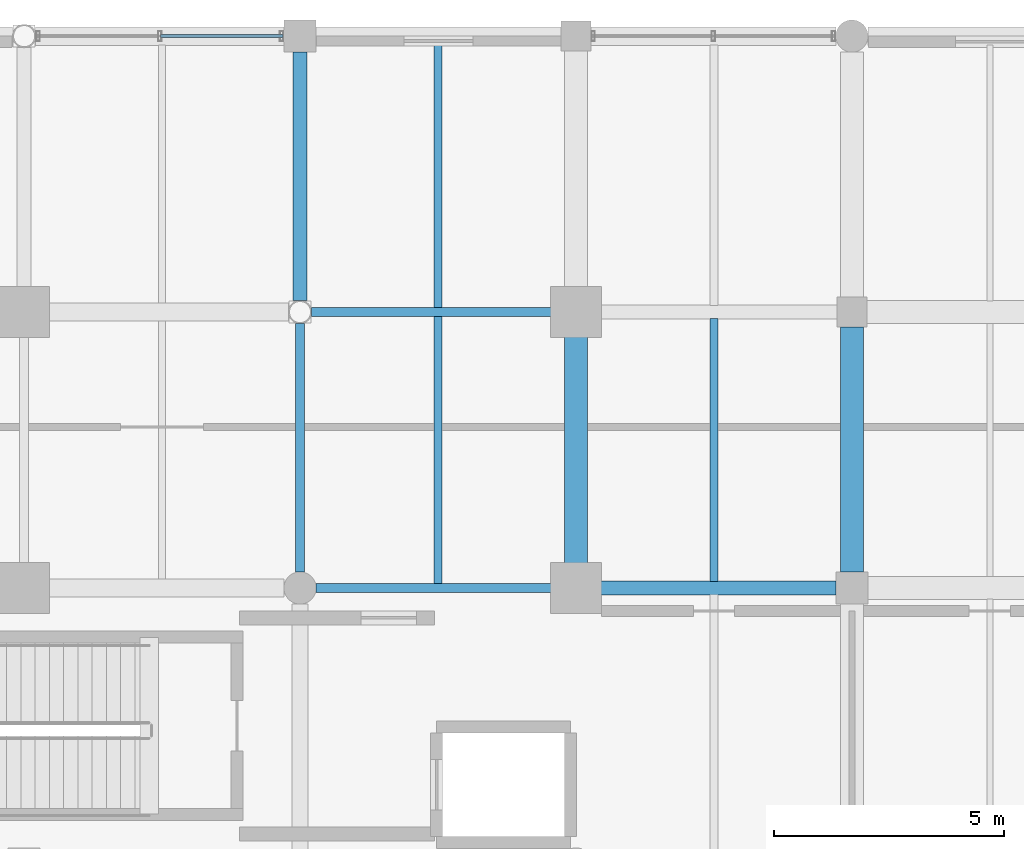
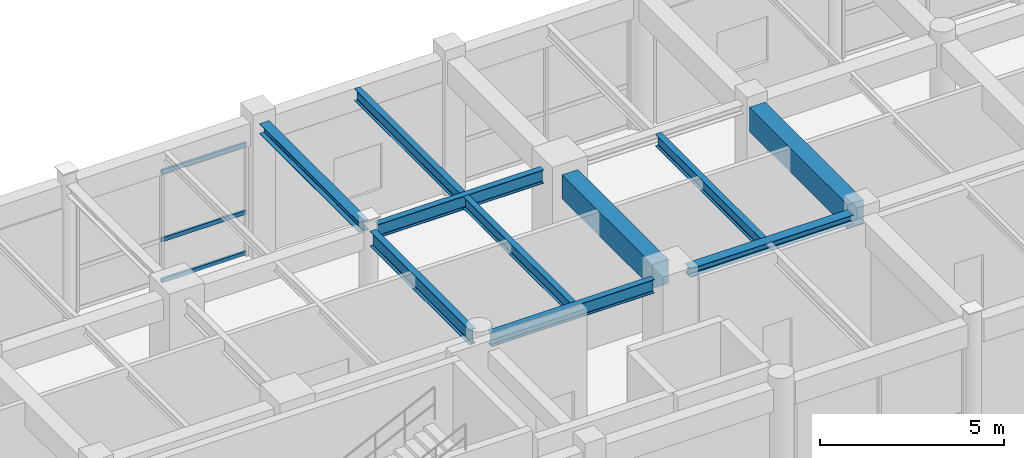
# One storey, part 62 of 123: 10 beams, 3 members, 1 element without a shape of its own.
"""IFC4 building model written with IfcOpenShell, lengths in metres."""

from ifc_helpers import new_model, si_unit, direction, frame, origin, origin_2d, place, context, subcontext, project, spatial, rectangle, hollow_rectangle, i_section, extrude, material, material_profile, profile_set, type_object, element, aggregate, save


model = new_model("IFC4")

# Units and contexts
model_context = context("Model", 3, precision=1e-05, world=origin(), true_north=direction((0.0, 1.0)))
body_context = subcontext(model_context, "Body", "Model", "MODEL_VIEW")
ifc_project = project(units=[si_unit("LENGTHUNIT", "METRE"), si_unit("AREAUNIT", "SQUARE_METRE"), si_unit("VOLUMEUNIT", "CUBIC_METRE"), si_unit("PLANEANGLEUNIT", "RADIAN"), si_unit("MASSUNIT", "GRAM", prefix="KILO"), si_unit("THERMODYNAMICTEMPERATUREUNIT", "KELVIN"), si_unit("POWERUNIT", "WATT")], contexts=[model_context])

# Site, building, storey
site_placement = place(None, origin())
site = spatial("IfcSite", under=ifc_project, at=site_placement, CompositionType="ELEMENT")
building_placement = place(site_placement, origin())
building = spatial("IfcBuilding", under=site, at=building_placement, Name="Phaisarnlok Congress Hotel", CompositionType="ELEMENT")
storey_placement = place(building_placement, frame((0.0, 0.0, 15.0)))
storey = spatial("IfcBuildingStorey", under=building, at=storey_placement, Name="L03", CompositionType="ELEMENT", Elevation=15.0)

# Beams
ifc_material_1 = material(Name="Concrete C40/50", Category="concrete")
ifc_material_profile_1 = material_profile(ifc_material_1, rectangle(XDim=0.5, YDim=0.800048828125, at=origin_2d()), Name="RC 500x800")
ifc_profile_set_1 = profile_set([ifc_material_profile_1], Name="Concrete C40/50")
beam_type_1 = type_object("IfcBeamType", Name="BM-RC-500x800", PredefinedType="BEAM", material=ifc_profile_set_1)
beam_1_placement = place(storey_placement, frame((120.0, 114.544921875, 4.050048828125), z_axis=(0.0, 1.0, 0.0), x_axis=(-1.0, 0.0, 0.0)))
element("IfcBeam", 1, at=beam_1_placement, inside=storey, type_object=beam_type_1, Name="Beam B-04", PredefinedType="BEAM", context=body_context, shape_type="SweptSolid", body=[
    extrude(rectangle(XDim=0.5, YDim=0.800048828125, at=origin_2d()), origin(), (0.0, 0.0, 1.0), 4.91015625),
])
beam_2_placement = place(storey_placement, frame((126.0, 114.344970703125, 4.050048828125), z_axis=(0.0, 1.0, 0.0), x_axis=(-1.0, 0.0, 0.0)))
element("IfcBeam", 2, at=beam_2_placement, inside=storey, type_object=beam_type_1, Name="Beam B-04", PredefinedType="BEAM", context=body_context, shape_type="SweptSolid", body=[
    extrude(rectangle(XDim=0.5, YDim=0.800048828125, at=origin_2d()), origin(), (0.0, 0.0, 1.0), 5.3349609375),
])
ifc_material_2 = material(Name="Steel S355", Category="steel")
ifc_material_profile_2 = material_profile(ifc_material_2, i_section(OverallWidth=0.300048828125, OverallDepth=0.2900390625, WebThickness=0.008544921875, FlangeThickness=0.013916015625, FilletRadius=0.027099609375, at=origin_2d()), Name="HEA 300")
ifc_profile_set_2 = profile_set([ifc_material_profile_2], Name="Steel S355")
beam_type_2 = type_object("IfcBeamType", Name="BM-STL-HEA300", PredefinedType="BEAM", material=ifc_profile_set_2)
beam_3_placement = place(storey_placement, frame((120.544921875, 114.0, 4.304931640625), z_axis=(1.0, 0.0, 0.0), x_axis=(0.0, 1.0, 0.0)))
element("IfcBeam", 3, at=beam_3_placement, inside=storey, type_object=beam_type_2, Name="Beam SB-05", PredefinedType="BEAM", context=body_context, shape_type="SweptSolid", body=[
    extrude(i_section(OverallWidth=0.300048828125, OverallDepth=0.2900390625, WebThickness=0.008544921875, FlangeThickness=0.013916015625, FilletRadius=0.027099609375, at=origin_2d()), origin(), (0.0, 0.0, 1.0), 5.110107421875),
])
ifc_material_profile_3 = material_profile(ifc_material_2, i_section(OverallWidth=0.300048828125, OverallDepth=0.340087890625, WebThickness=0.011962890625, FlangeThickness=0.021484375, FilletRadius=0.027099609375, at=origin_2d()), Name="HEB 340")
ifc_profile_set_3 = profile_set([ifc_material_profile_3], Name="Steel S355")
beam_type_3 = type_object("IfcBeamType", Name="BM-STL-HEB340", PredefinedType="BEAM", material=ifc_profile_set_3)
beam_4_placement = place(storey_placement, frame((114.0, 120.2490234375, 4.280029296875), z_axis=(0.0, 1.0, 0.0), x_axis=(-1.0, 0.0, 0.0)))
element("IfcBeam", 4, at=beam_4_placement, inside=storey, type_object=beam_type_3, Name="Beam SB-07", PredefinedType="BEAM", context=body_context, shape_type="SweptSolid", body=[
    extrude(i_section(OverallWidth=0.300048828125, OverallDepth=0.340087890625, WebThickness=0.011962890625, FlangeThickness=0.021484375, FilletRadius=0.027099609375, at=origin_2d()), origin(), (0.0, 0.0, 1.0), 5.406005859375),
])
ifc_material_profile_4 = material_profile(ifc_material_2, i_section(OverallWidth=0.18994140625, OverallDepth=0.449951171875, WebThickness=0.009521484375, FlangeThickness=0.0146484375, FilletRadius=0.02099609375, at=origin_2d()), Name="IPE 450")
ifc_profile_set_4 = profile_set([ifc_material_profile_4], Name="Steel S355")
beam_type_4 = type_object("IfcBeamType", Name="BM-STL-IPE450", PredefinedType="BEAM", material=ifc_profile_set_4)
beam_5_placement = place(storey_placement, frame((114.344970703125, 114.0, 4.22509765625), z_axis=(1.0, 0.0, 0.0), x_axis=(0.0, 1.0, 0.0)))
element("IfcBeam", 5, at=beam_5_placement, inside=storey, type_object=beam_type_4, Name="Beam SB-01", PredefinedType="BEAM", context=body_context, shape_type="SweptSolid", body=[
    extrude(i_section(OverallWidth=0.18994140625, OverallDepth=0.449951171875, WebThickness=0.009521484375, FlangeThickness=0.0146484375, FilletRadius=0.02099609375, at=origin_2d()), origin(), (0.0, 0.0, 1.0), 5.110107421875),
])
beam_6_placement = place(storey_placement, frame((114.2490234375, 120.0, 4.22509765625), z_axis=(1.0, 0.0, 0.0), x_axis=(0.0, 1.0, 0.0)))
element("IfcBeam", 6, at=beam_6_placement, inside=storey, type_object=beam_type_4, Name="Beam SB-01", PredefinedType="BEAM", context=body_context, shape_type="SweptSolid", body=[
    extrude(i_section(OverallWidth=0.18994140625, OverallDepth=0.449951171875, WebThickness=0.009521484375, FlangeThickness=0.0146484375, FilletRadius=0.02099609375, at=origin_2d()), origin(), (0.0, 0.0, 1.0), 5.2060546875),
])
ifc_material_profile_5 = material_profile(ifc_material_2, i_section(OverallWidth=0.199951171875, OverallDepth=0.5, WebThickness=0.01025390625, FlangeThickness=0.01611328125, FilletRadius=0.02099609375, at=origin_2d()), Name="IPE 500")
ifc_profile_set_5 = profile_set([ifc_material_profile_5], Name="Steel S355")
beam_type_5 = type_object("IfcBeamType", Name="BM-STL-IPE500", PredefinedType="BEAM", material=ifc_profile_set_5)
beam_7_placement = place(storey_placement, frame((114.0, 114.344970703125, 4.199951171875), z_axis=(0.0, 1.0, 0.0), x_axis=(-1.0, 0.0, 0.0)))
element("IfcBeam", 7, at=beam_7_placement, inside=storey, type_object=beam_type_5, Name="Beam SB-02", PredefinedType="BEAM", context=body_context, shape_type="SweptSolid", body=[
    extrude(i_section(OverallWidth=0.199951171875, OverallDepth=0.5, WebThickness=0.01025390625, FlangeThickness=0.01611328125, FilletRadius=0.02099609375, at=origin_2d()), origin(), (0.0, 0.0, 1.0), 5.406005859375),
])

# Curtain wall, members
ifc_material_3 = material(Name="Thermally Broken Unitised Aluminium & Low-E Glazing", Category="aluminium")
curtain_wall_type = type_object("IfcCurtainWallType", Name="CW-UNIT-31", PredefinedType="NOTDEFINED", material=ifc_material_3)
curtain_wall_placement = place(storey_placement, origin())
curtain_wall = element("IfcCurtainWall", 8, at=curtain_wall_placement, inside=storey, type_object=curtain_wall_type, Name="Unitised curtain wall CW-31 (L03)", PredefinedType="NOTDEFINED")
ifc_material_4 = material(Name="Anodised Aluminium Alloy 6063-T6", Category="aluminium")
ifc_material_profile_6 = material_profile(ifc_material_4, hollow_rectangle(XDim=0.06494140625, YDim=0.139892578125, WallThickness=0.00390625, at=origin_2d()), Name="ALU-T 65x140x4")
ifc_profile_set_6 = profile_set([ifc_material_profile_6], Name="Anodised Aluminium Alloy 6063-T6")
member_type = type_object("IfcMemberType", Name="CWT-150", PredefinedType="USERDEFINED", material=ifc_profile_set_6)
member_1_placement = place(storey_placement, frame((113.625, 126.0, 0.050048828125), z_axis=(-1.0, 0.0, 0.0), x_axis=(0.0, -1.0, 0.0)))
member_1 = element("IfcMember", 9, at=member_1_placement, type_object=member_type, Name="Curtain wall transom CWT-01", ObjectType="TRANSOM", PredefinedType="USERDEFINED", context=body_context, shape_type="SweptSolid", body=[
    extrude(hollow_rectangle(XDim=0.06494140625, YDim=0.139892578125, WallThickness=0.00390625, at=origin_2d()), origin(), (0.0, 0.0, 1.0), 2.657958984375),
])
member_2_placement = place(storey_placement, frame((113.625, 126.0, 1.406005859375), z_axis=(-1.0, 0.0, 0.0), x_axis=(0.0, -1.0, 0.0)))
member_2 = element("IfcMember", 10, at=member_2_placement, type_object=member_type, Name="Curtain wall transom CWT-01", ObjectType="TRANSOM", PredefinedType="USERDEFINED", context=body_context, shape_type="SweptSolid", body=[
    extrude(hollow_rectangle(XDim=0.06494140625, YDim=0.139892578125, WallThickness=0.00390625, at=origin_2d()), origin(), (0.0, 0.0, 1.0), 2.657958984375),
])
member_3_placement = place(storey_placement, frame((113.625, 126.0, 3.64990234375), z_axis=(-1.0, 0.0, 0.0), x_axis=(0.0, -1.0, 0.0)))
member_3 = element("IfcMember", 11, at=member_3_placement, type_object=member_type, Name="Curtain wall transom CWT-01", ObjectType="TRANSOM", PredefinedType="USERDEFINED", context=body_context, shape_type="SweptSolid", body=[
    extrude(hollow_rectangle(XDim=0.06494140625, YDim=0.139892578125, WallThickness=0.00390625, at=origin_2d()), origin(), (0.0, 0.0, 1.0), 2.657958984375),
])
aggregate(curtain_wall, [member_1, member_2, member_3])

# Beams
ifc_material_profile_7 = material_profile(ifc_material_2, i_section(OverallWidth=0.179931640625, OverallDepth=0.39990234375, WebThickness=0.008544921875, FlangeThickness=0.013427734375, FilletRadius=0.02099609375, at=origin_2d()), Name="IPE 400")
ifc_profile_set_7 = profile_set([ifc_material_profile_7], Name="Steel S355")
beam_type_6 = type_object("IfcBeamType", Name="JS-STL-IPE400", PredefinedType="JOIST", material=ifc_profile_set_7)
beam_8_placement = place(storey_placement, frame((117.0, 114.090087890625, 4.25), z_axis=(0.0, 1.0, 0.0), x_axis=(-1.0, 0.0, 0.0)))
element("IfcBeam", 12, at=beam_8_placement, inside=storey, type_object=beam_type_6, Name="Secondary floor joist J-05", PredefinedType="JOIST", context=body_context, shape_type="SweptSolid", body=[
    extrude(i_section(OverallWidth=0.179931640625, OverallDepth=0.39990234375, WebThickness=0.008544921875, FlangeThickness=0.013427734375, FilletRadius=0.02099609375, at=origin_2d()), origin(), (0.0, 0.0, 1.0), 5.81982421875),
])
beam_9_placement = place(storey_placement, frame((117.0, 120.090087890625, 4.25), z_axis=(0.0, 1.0, 0.0), x_axis=(-1.0, 0.0, 0.0)))
element("IfcBeam", 13, at=beam_9_placement, inside=storey, type_object=beam_type_6, Name="Secondary floor joist J-05", PredefinedType="JOIST", context=body_context, shape_type="SweptSolid", body=[
    extrude(i_section(OverallWidth=0.179931640625, OverallDepth=0.39990234375, WebThickness=0.008544921875, FlangeThickness=0.013427734375, FilletRadius=0.02099609375, at=origin_2d()), origin(), (0.0, 0.0, 1.0), 5.71484375),
])
beam_10_placement = place(storey_placement, frame((123.0, 114.14501953125, 4.25), z_axis=(0.0, 1.0, 0.0), x_axis=(-1.0, 0.0, 0.0)))
element("IfcBeam", 14, at=beam_10_placement, inside=storey, type_object=beam_type_6, Name="Secondary floor joist J-05", PredefinedType="JOIST", context=body_context, shape_type="SweptSolid", body=[
    extrude(i_section(OverallWidth=0.179931640625, OverallDepth=0.39990234375, WebThickness=0.008544921875, FlangeThickness=0.013427734375, FilletRadius=0.02099609375, at=origin_2d()), origin(), (0.0, 0.0, 1.0), 5.7099609375),
])

save(model, "model.ifc")
